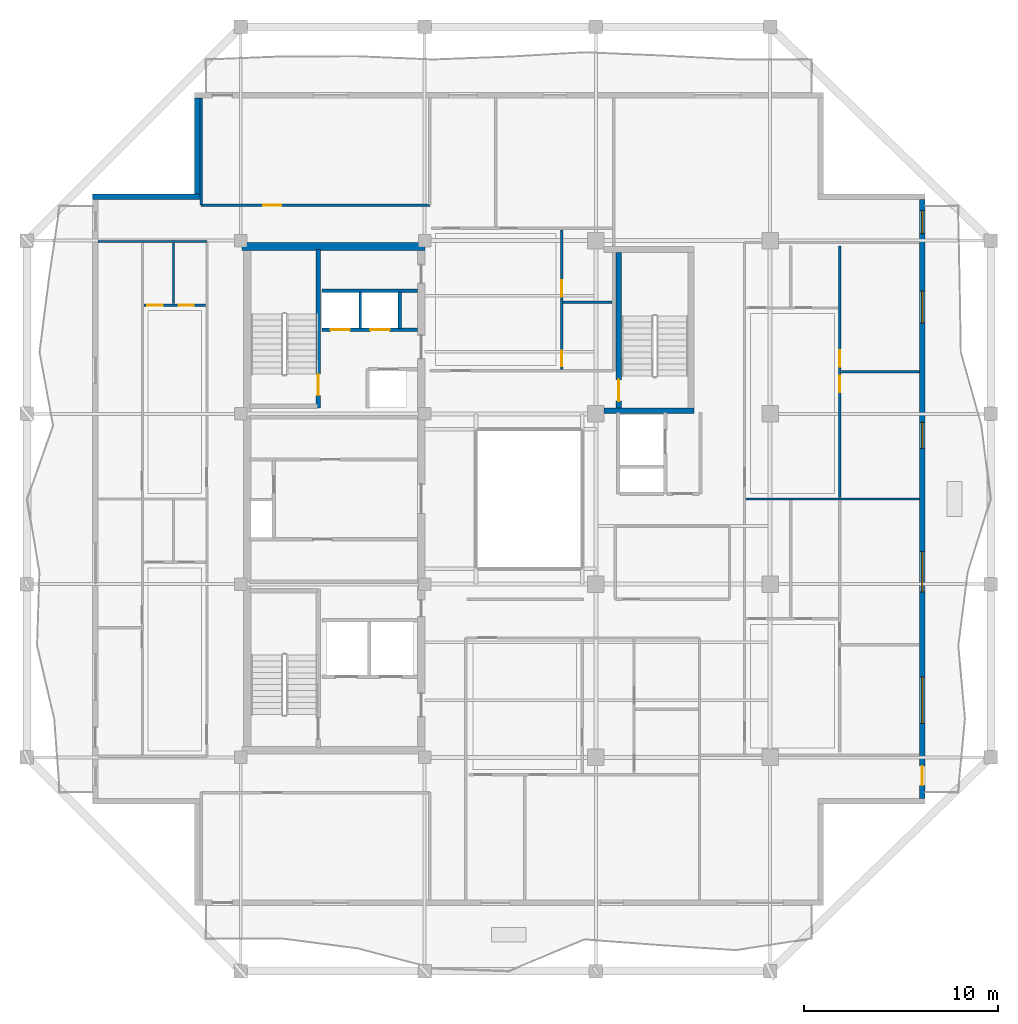
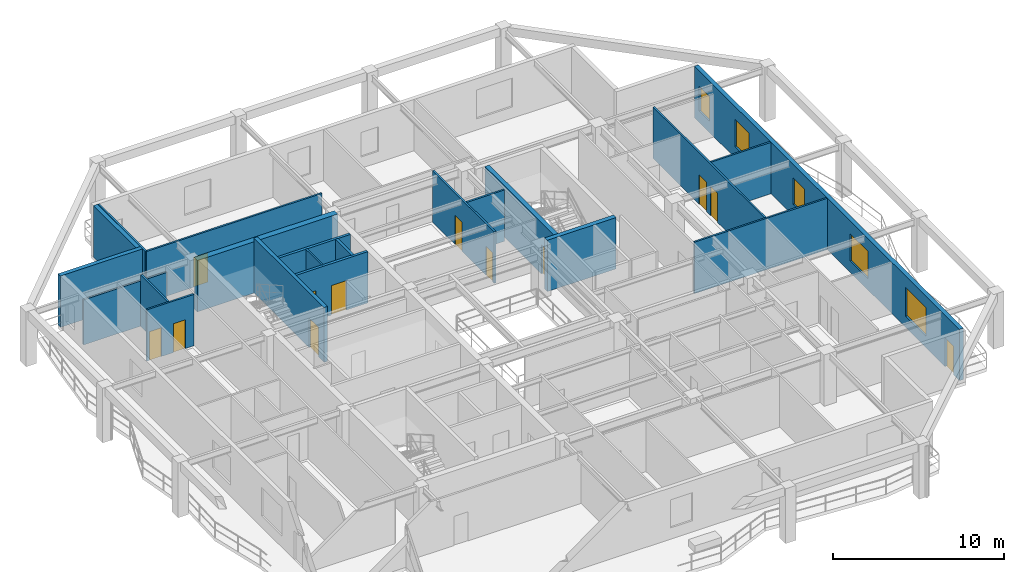
# One storey, part 5 of 11: 21 walls, 12 doors, 5 windows, 17 openings.
"""IFC4 building model written with IfcOpenShell, lengths in metres."""

from ifc_helpers import new_model, si_unit, direction, frame, frame_2d, origin, place, context, subcontext, project, spatial, rectangle, extrude, material, layer, layer_set, type_object, element, fill, save


model = new_model("IFC4")

# Units and contexts
model_context = context("Model", 3, precision=1e-05, world=origin(), true_north=direction((0.0, 1.0)))
body_context = subcontext(model_context, "Body", "Model", "MODEL_VIEW")
ifc_project = project(units=[si_unit("LENGTHUNIT", "METRE"), si_unit("AREAUNIT", "SQUARE_METRE"), si_unit("VOLUMEUNIT", "CUBIC_METRE"), si_unit("PLANEANGLEUNIT", "RADIAN"), si_unit("MASSUNIT", "GRAM", prefix="KILO")], contexts=[model_context])

# Site, building, storey
site_placement = place(None, origin())
site = spatial("IfcSite", under=ifc_project, at=site_placement, CompositionType="ELEMENT")
building_placement = place(site_placement, origin())
building = spatial("IfcBuilding", under=site, at=building_placement, Name="Kundavana Baori Tower", CompositionType="ELEMENT")
storey_placement = place(building_placement, frame((0.0, 0.0, 221.89990234375)))
storey = spatial("IfcBuildingStorey", under=building, at=storey_placement, Name="L54", CompositionType="ELEMENT", Elevation=221.89990234375)

# Wall
ifc_material_1 = material(Name="Concrete C50/60", Category="concrete")
ifc_layer_1 = layer(ifc_material_1, 0.39990234375, Name="WL-CORE-400")
ifc_layer_set_1 = layer_set([ifc_layer_1], Name="Concrete C50/60")
wall_type_1 = type_object("IfcWallType", Name="WL-CORE-400", PredefinedType="SHEAR", material=ifc_layer_set_1)
wall_1_placement = place(storey_placement, frame((15.5, 41.639892578125, 0.0), z_axis=(0.0, 0.0, 1.0), x_axis=(1.0, 0.0, 0.0)))
element("IfcWall", 1, at=wall_1_placement, inside=storey, type_object=wall_type_1, Name="L54 Offset Core North Shear Wall", PredefinedType="SHEAR", context=body_context, shape_type="SweptSolid", body=[
    extrude(rectangle(XDim=9.47998046875, YDim=0.39990234375, at=frame_2d((4.739990234375, 0.0))), origin(), (0.0, 0.0, 1.0), 3.66015625),
])

# Wall, opening, door
wall_2_placement = place(storey_placement, frame((19.4599609375, 33.300048828125, 0.0), z_axis=(0.0, 0.0, 1.0), x_axis=(0.0, 1.0, 0.0)))
wall_2 = element("IfcWall", 2, at=wall_2_placement, inside=storey, type_object=wall_type_1, Name="WL-L54-ST2-E", PredefinedType="SHEAR", context=body_context, shape_type="SweptSolid", body=[
    extrude(rectangle(XDim=8.179931640625, YDim=0.239990234375, at=frame_2d((4.08984375, 0.0))), origin(), (0.0, 0.0, 1.0), 3.900146484375),
])
opening_1_placement = place(wall_2_placement, frame((0.64990234375, 0.0, 0.0)))
opening_1 = element("IfcOpeningElement", 3, at=opening_1_placement, cuts=wall_2, Name="Opening FD-110", PredefinedType="OPENING", context=body_context, shape_type="SweptSolid", body=[
    extrude(rectangle(XDim=1.10009765625, YDim=2.10009765625, at=frame_2d((0.550048828125, 1.050048828125))), frame((0.0, 0.1298828125, 0.0), z_axis=(0.0, -1.0, 0.0), x_axis=(1.0, 0.0, 0.0)), (0.0, 0.0, 1.0), 0.260009765625),
])
ifc_material_2 = material(Name="Galvanised Steel Fire-Rated Door Leaf", Category="steel")
door_type_1 = type_object("IfcDoorType", Name="DR-FD120-1100", OperationType="NOTDEFINED", PredefinedType="DOOR", material=ifc_material_2)
door_1_placement = place(opening_1_placement, origin())
door_1 = element("IfcDoor", 4, at=door_1_placement, inside=storey, type_object=door_type_1, Name="DR-L54-ST2", OperationType="SINGLE_SWING_RIGHT", OverallHeight=2.10009765625, OverallWidth=1.10009765625, PredefinedType="DOOR", context=body_context, shape_type="SweptSolid", body=[
    extrude(rectangle(XDim=1.10009765625, YDim=2.10009765625, at=frame_2d((0.550048828125, 1.050048828125))), frame((0.0, 0.02490234375, 0.0), z_axis=(0.0, -1.0, 0.0), x_axis=(1.0, 0.0, 0.0)), (0.0, 0.0, 1.0), 0.050048828125),
])
fill(opening_1, door_1)

# Wall, openings, door, windows
ifc_material_3 = material(Name="Red-Buff Dholpur Sandstone Cladding on Concrete C40/50", Category="masonry")
ifc_layer_2 = layer(ifc_material_3, 0.280029296875, Name="WL-EXT-SAND-280")
ifc_layer_set_2 = layer_set([ifc_layer_2], Name="Red-Buff Dholpur Sandstone Cladding on Concrete C40/50")
wall_type_2 = type_object("IfcWallType", Name="WL-EXT-SAND-280", PredefinedType="STANDARD", material=ifc_layer_set_2)
wall_3_placement = place(storey_placement, frame((50.659912109375, 13.1298828125, 0.0), z_axis=(0.0, 0.0, 1.0), x_axis=(0.0, 1.0, 0.0)))
wall_3 = element("IfcWall", 5, at=wall_3_placement, inside=storey, type_object=wall_type_2, Name="L54 Exterior Insulated Facade Wall 04", PredefinedType="STANDARD", context=body_context, shape_type="SweptSolid", body=[
    extrude(rectangle(XDim=30.940185546875, YDim=0.280029296875, at=frame_2d((15.47021484375, 0.0))), origin(), (0.0, 0.0, 1.0), 3.66015625),
])
opening_2_placement = place(wall_3_placement, frame((0.669921875, 0.0, 0.0)))
opening_2 = element("IfcOpeningElement", 6, at=opening_2_placement, cuts=wall_3, Name="Opening BD-1", PredefinedType="OPENING", context=body_context, shape_type="SweptSolid", body=[
    extrude(rectangle(XDim=1.0, YDim=2.050048828125, at=frame_2d((0.5, 1.02490234375))), frame((0.0, 0.14990234375, 0.0), z_axis=(0.0, -1.0, 0.0), x_axis=(1.0, 0.0, 0.0)), (0.0, 0.0, 1.0), 0.300048828125),
])
opening_3_placement = place(wall_3_placement, frame((3.8798828125, 0.0, 0.800048828125)))
opening_3 = element("IfcOpeningElement", 7, at=opening_3_placement, cuts=wall_3, Name="Opening W-04", PredefinedType="OPENING", context=body_context, shape_type="SweptSolid", body=[
    extrude(rectangle(XDim=2.39990234375, YDim=2.050048828125, at=frame_2d((1.199951171875, 1.02490234375))), frame((0.0, 0.14990234375, 0.0), z_axis=(0.0, -1.0, 0.0), x_axis=(1.0, 0.0, 0.0)), (0.0, 0.0, 1.0), 0.300048828125),
])
opening_4_placement = place(wall_3_placement, frame((10.655029296875, 0.0, 0.800048828125)))
opening_4 = element("IfcOpeningElement", 8, at=opening_4_placement, cuts=wall_3, Name="Opening W-05", PredefinedType="OPENING", context=body_context, shape_type="SweptSolid", body=[
    extrude(rectangle(XDim=2.10009765625, YDim=1.949951171875, at=frame_2d((1.050048828125, 0.97509765625))), frame((0.0, 0.14990234375, 0.0), z_axis=(0.0, -1.0, 0.0), x_axis=(1.0, 0.0, 0.0)), (0.0, 0.0, 1.0), 0.300048828125),
])
opening_5_placement = place(wall_3_placement, frame((18.08203125, 0.0, 0.800048828125)))
opening_5 = element("IfcOpeningElement", 9, at=opening_5_placement, cuts=wall_3, Name="Opening W-07", PredefinedType="OPENING", context=body_context, shape_type="SweptSolid", body=[
    extrude(rectangle(XDim=1.35009765625, YDim=1.89990234375, at=frame_2d((0.675048828125, 0.949951171875))), frame((0.0, 0.14990234375, 0.0), z_axis=(0.0, -1.0, 0.0), x_axis=(1.0, 0.0, 0.0)), (0.0, 0.0, 1.0), 0.300048828125),
])
opening_6_placement = place(wall_3_placement, frame((24.55810546875, 0.0, 0.800048828125)))
opening_6 = element("IfcOpeningElement", 10, at=opening_6_placement, cuts=wall_3, Name="Opening W-08", PredefinedType="OPENING", context=body_context, shape_type="SweptSolid", body=[
    extrude(rectangle(XDim=1.64990234375, YDim=1.949951171875, at=frame_2d((0.824951171875, 0.97509765625))), frame((0.0, 0.14990234375, 0.0), z_axis=(0.0, -1.0, 0.0), x_axis=(1.0, 0.0, 0.0)), (0.0, 0.0, 1.0), 0.300048828125),
])
opening_7_placement = place(wall_3_placement, frame((29.175048828125, 0.0, 0.800048828125)))
opening_7 = element("IfcOpeningElement", 11, at=opening_7_placement, cuts=wall_3, Name="Opening W-03", PredefinedType="OPENING", context=body_context, shape_type="SweptSolid", body=[
    extrude(rectangle(XDim=1.199951171875, YDim=1.75, at=frame_2d((0.60009765625, 0.875))), frame((0.0, 0.14990234375, 0.0), z_axis=(0.0, -1.0, 0.0), x_axis=(1.0, 0.0, 0.0)), (0.0, 0.0, 1.0), 0.300048828125),
])
ifc_material_4 = material(Name="Architectural Patinated Bronze Metalwork")
door_type_2 = type_object("IfcDoorType", Name="DR-EXT-LOG-1000", OperationType="NOTDEFINED", PredefinedType="DOOR", material=ifc_material_4)
door_2_placement = place(opening_2_placement, frame((1.0, 0.0, 0.0), z_axis=(0.0, 0.0, 1.0), x_axis=(-1.0, 0.0, 0.0)))
door_2 = element("IfcDoor", 12, at=door_2_placement, inside=storey, type_object=door_type_2, Name="L54 Loggia Balcony Access Door E", OperationType="SINGLE_SWING_RIGHT", OverallHeight=2.050048828125, OverallWidth=1.0, PredefinedType="DOOR", context=body_context, shape_type="SweptSolid", body=[
    extrude(rectangle(XDim=1.0, YDim=2.050048828125, at=frame_2d((0.5, 1.02490234375))), frame((0.0, 0.02490234375, 0.0), z_axis=(0.0, -1.0, 0.0), x_axis=(1.0, 0.0, 0.0)), (0.0, 0.0, 1.0), 0.050048828125),
])
fill(opening_2, door_2)
ifc_material_5 = material(Name="Double-Glazed Solar-Control Low-E Insulated Glass", Category="glass")
window_type_1 = type_object("IfcWindowType", Name="WIN-LOG-1200x1750", PartitioningType="SINGLE_PANEL", PredefinedType="WINDOW", material=ifc_material_5)
window_1_placement = place(opening_7_placement, origin())
window_1 = element("IfcWindow", 13, at=window_1_placement, inside=storey, type_object=window_type_1, Name="L54 Recessed Loggia Window E-6", OverallHeight=1.75, OverallWidth=1.199951171875, PartitioningType="SINGLE_PANEL", PredefinedType="WINDOW", context=body_context, shape_type="SweptSolid", body=[
    extrude(rectangle(XDim=1.199951171875, YDim=1.75, at=frame_2d((0.60009765625, 0.875))), frame((0.0, 0.030029296875, 0.0), z_axis=(0.0, -1.0, 0.0), x_axis=(1.0, 0.0, 0.0)), (0.0, 0.0, 1.0), 0.06005859375),
])
fill(opening_7, window_1)
ifc_material_6 = material(Name="Double-Glazed Solar-Control Low-E Insulated Glass", Category="glass")
window_type_2 = type_object("IfcWindowType", Name="WIN-LOG-1350x1900", PartitioningType="SINGLE_PANEL", PredefinedType="WINDOW", material=ifc_material_6)
window_2_placement = place(opening_5_placement, origin())
window_2 = element("IfcWindow", 14, at=window_2_placement, inside=storey, type_object=window_type_2, Name="L54 Recessed Loggia Window E-4", OverallHeight=1.89990234375, OverallWidth=1.35009765625, PartitioningType="SINGLE_PANEL", PredefinedType="WINDOW", context=body_context, shape_type="SweptSolid", body=[
    extrude(rectangle(XDim=1.35009765625, YDim=1.89990234375, at=frame_2d((0.675048828125, 0.949951171875))), frame((0.0, 0.030029296875, 0.0), z_axis=(0.0, -1.0, 0.0), x_axis=(1.0, 0.0, 0.0)), (0.0, 0.0, 1.0), 0.06005859375),
])
fill(opening_5, window_2)
ifc_material_7 = material(Name="Double-Glazed Solar-Control Low-E Insulated Glass", Category="glass")
window_type_3 = type_object("IfcWindowType", Name="WIN-LOG-1650x1950", PartitioningType="SINGLE_PANEL", PredefinedType="WINDOW", material=ifc_material_7)
window_3_placement = place(opening_6_placement, origin())
window_3 = element("IfcWindow", 15, at=window_3_placement, inside=storey, type_object=window_type_3, Name="L54 Recessed Loggia Window E-5", OverallHeight=1.949951171875, OverallWidth=1.64990234375, PartitioningType="SINGLE_PANEL", PredefinedType="WINDOW", context=body_context, shape_type="SweptSolid", body=[
    extrude(rectangle(XDim=1.64990234375, YDim=1.949951171875, at=frame_2d((0.824951171875, 0.97509765625))), frame((0.0, 0.030029296875, 0.0), z_axis=(0.0, -1.0, 0.0), x_axis=(1.0, 0.0, 0.0)), (0.0, 0.0, 1.0), 0.06005859375),
])
fill(opening_6, window_3)
ifc_material_8 = material(Name="Double-Glazed Solar-Control Low-E Insulated Glass", Category="glass")
window_type_4 = type_object("IfcWindowType", Name="WIN-LOG-2100x1950", PartitioningType="SINGLE_PANEL", PredefinedType="WINDOW", material=ifc_material_8)
window_4_placement = place(opening_4_placement, origin())
window_4 = element("IfcWindow", 16, at=window_4_placement, inside=storey, type_object=window_type_4, Name="L54 Recessed Loggia Window E-3", OverallHeight=1.949951171875, OverallWidth=2.10009765625, PartitioningType="SINGLE_PANEL", PredefinedType="WINDOW", context=body_context, shape_type="SweptSolid", body=[
    extrude(rectangle(XDim=2.10009765625, YDim=1.949951171875, at=frame_2d((1.050048828125, 0.97509765625))), frame((0.0, 0.030029296875, 0.0), z_axis=(0.0, -1.0, 0.0), x_axis=(1.0, 0.0, 0.0)), (0.0, 0.0, 1.0), 0.06005859375),
])
fill(opening_4, window_4)
ifc_material_9 = material(Name="Double-Glazed Solar-Control Low-E Insulated Glass", Category="glass")
window_type_5 = type_object("IfcWindowType", Name="WIN-LOG-2400x2050", PartitioningType="SINGLE_PANEL", PredefinedType="WINDOW", material=ifc_material_9)
window_5_placement = place(opening_3_placement, origin())
window_5 = element("IfcWindow", 17, at=window_5_placement, inside=storey, type_object=window_type_5, Name="L54 Recessed Loggia Window E-2", OverallHeight=2.050048828125, OverallWidth=2.39990234375, PartitioningType="SINGLE_PANEL", PredefinedType="WINDOW", context=body_context, shape_type="SweptSolid", body=[
    extrude(rectangle(XDim=2.39990234375, YDim=2.050048828125, at=frame_2d((1.199951171875, 1.02490234375))), frame((0.0, 0.030029296875, 0.0), z_axis=(0.0, -1.0, 0.0), x_axis=(1.0, 0.0, 0.0)), (0.0, 0.0, 1.0), 0.06005859375),
])
fill(opening_3, window_5)

# Walls
wall_4_placement = place(storey_placement, frame((13.18994140625, 49.320068359375, 0.0), z_axis=(0.0, 0.0, 1.0), x_axis=(0.0, -1.0, 0.0)))
element("IfcWall", 18, at=wall_4_placement, inside=storey, type_object=wall_type_2, Name="L54 Exterior Insulated Facade Wall 08", PredefinedType="STANDARD", context=body_context, shape_type="SweptSolid", body=[
    extrude(rectangle(XDim=4.969970703125, YDim=0.280029296875, at=frame_2d((2.48486328125, 0.0))), origin(), (0.0, 0.0, 1.0), 3.66015625),
])
wall_5_placement = place(storey_placement, frame((13.330078125, 44.2099609375, 0.0), z_axis=(0.0, 0.0, 1.0), x_axis=(-1.0, 0.0, 0.0)))
element("IfcWall", 19, at=wall_5_placement, inside=storey, type_object=wall_type_2, Name="L54 Exterior Insulated Facade Wall 09", PredefinedType="STANDARD", context=body_context, shape_type="SweptSolid", body=[
    extrude(rectangle(XDim=5.530029296875, YDim=0.280029296875, at=frame_2d((2.76513671875, 0.0))), origin(), (0.0, 0.0, 1.0), 3.66015625),
])
ifc_material_10 = material(Name="Acoustic Gypsum Plasterboard on Galvanised Steel Studs", Category="steel")
ifc_layer_3 = layer(ifc_material_10, 0.1201171875, Name="WL-PART-120")
ifc_layer_set_3 = layer_set([ifc_layer_3], Name="Acoustic Gypsum Plasterboard on Galvanised Steel Studs")
wall_type_3 = type_object("IfcWallType", Name="WL-PART-120", PredefinedType="PARTITIONING", material=ifc_layer_set_3)
wall_6_placement = place(storey_placement, frame((21.6201171875, 37.39990234375, 0.0), z_axis=(0.0, 0.0, 1.0), x_axis=(0.0, 1.0, 0.0)))
element("IfcWall", 20, at=wall_6_placement, inside=storey, type_object=wall_type_3, Name="WL-L54-HR-DIV1", PredefinedType="PARTITIONING", context=body_context, shape_type="SweptSolid", body=[
    extrude(rectangle(XDim=1.900146484375, YDim=0.1201171875, at=frame_2d((0.9501953125, 0.0))), origin(), (0.0, 0.0, 1.0), 3.66015625),
])

# Wall, opening, door
wall_7_placement = place(storey_placement, frame((13.39990234375, 43.780029296875, 0.0), z_axis=(0.0, 0.0, 1.0), x_axis=(1.0, 0.0, 0.0)))
wall_7 = element("IfcWall", 21, at=wall_7_placement, inside=storey, type_object=wall_type_3, Name="WL-L54-RNC", PredefinedType="PARTITIONING", context=body_context, shape_type="SweptSolid", body=[
    extrude(rectangle(XDim=11.820068359375, YDim=0.1201171875, at=frame_2d((5.91015625, 0.0))), origin(), (0.0, 0.0, 1.0), 3.66015625),
])
opening_8_placement = place(wall_7_placement, frame((3.199951171875, 0.0, 0.0)))
opening_8 = element("IfcOpeningElement", 22, at=opening_8_placement, cuts=wall_7, Name="Opening ID-095", PredefinedType="OPENING", context=body_context, shape_type="SweptSolid", body=[
    extrude(rectangle(XDim=0.949951171875, YDim=2.080078125, at=frame_2d((0.47509765625, 1.0400390625))), frame((0.0, 0.070068359375, 0.0), z_axis=(0.0, -1.0, 0.0), x_axis=(1.0, 0.0, 0.0)), (0.0, 0.0, 1.0), 0.14013671875),
])
ifc_material_11 = material(Name="Engineered Teak Solid-Core Timber Veneer", Category="wood")
door_type_3 = type_object("IfcDoorType", Name="DR-INT-950", OperationType="NOTDEFINED", PredefinedType="DOOR", material=ifc_material_11)
door_3_placement = place(opening_8_placement, origin())
door_3 = element("IfcDoor", 23, at=door_3_placement, inside=storey, type_object=door_type_3, Name="DR-L54-RMNW", OperationType="SINGLE_SWING_RIGHT", OverallHeight=2.080078125, OverallWidth=0.949951171875, PredefinedType="DOOR", context=body_context, shape_type="SweptSolid", body=[
    extrude(rectangle(XDim=0.949951171875, YDim=2.080078125, at=frame_2d((0.47509765625, 1.0400390625))), frame((0.0, 0.02490234375, 0.0), z_axis=(0.0, -1.0, 0.0), x_axis=(1.0, 0.0, 0.0)), (0.0, 0.0, 1.0), 0.050048828125),
])
fill(opening_8, door_3)

# Walls
wall_8_placement = place(storey_placement, frame((13.39990234375, 43.780029296875, 0.0), z_axis=(0.0, 0.0, 1.0), x_axis=(0.0, 1.0, 0.0)))
element("IfcWall", 24, at=wall_8_placement, inside=storey, type_object=wall_type_3, Name="WL-L54-RNCW", PredefinedType="PARTITIONING", context=body_context, shape_type="SweptSolid", body=[
    extrude(rectangle(XDim=5.5400390625, YDim=0.1201171875, at=frame_2d((2.77001953125, 0.0))), origin(), (0.0, 0.0, 1.0), 3.66015625),
])
wall_9_placement = place(storey_placement, frame((8.080078125, 41.89990234375, 0.0), z_axis=(0.0, 0.0, 1.0), x_axis=(1.0, 0.0, 0.0)))
element("IfcWall", 25, at=wall_9_placement, inside=storey, type_object=wall_type_3, Name="WL-L54-RWN", PredefinedType="PARTITIONING", context=body_context, shape_type="SweptSolid", body=[
    extrude(rectangle(XDim=5.619873046875, YDim=0.1201171875, at=frame_2d((2.81005859375, 0.0))), origin(), (0.0, 0.0, 1.0), 3.210205078125),
])
wall_10_placement = place(storey_placement, frame((41.56005859375, 28.60009765625, 0.0), z_axis=(0.0, 0.0, 1.0), x_axis=(1.0, 0.0, 0.0)))
element("IfcWall", 26, at=wall_10_placement, inside=storey, type_object=wall_type_3, Name="WL-L54-RED1", PredefinedType="PARTITIONING", context=body_context, shape_type="SweptSolid", body=[
    extrude(rectangle(XDim=8.9599609375, YDim=0.1201171875, at=frame_2d((4.47998046875, 0.0))), origin(), (0.0, 0.0, 1.0), 3.66015625),
])

# Wall, openings, doors
wall_11_placement = place(storey_placement, frame((46.407958984375, 28.679931640625, 0.0), z_axis=(0.0, 0.0, 1.0), x_axis=(0.0, 1.0, 0.0)))
wall_11 = element("IfcWall", 27, at=wall_11_placement, inside=storey, type_object=wall_type_3, Name="WL-L54-E2-VT", PredefinedType="PARTITIONING", context=body_context, shape_type="SweptSolid", body=[
    extrude(rectangle(XDim=12.989990234375, YDim=0.1201171875, at=frame_2d((6.4951171875, 0.0))), origin(), (0.0, 0.0, 1.0), 3.66015625),
])
opening_9_placement = place(wall_11_placement, frame((5.445068359375, 0.0, 0.0)))
opening_9 = element("IfcOpeningElement", 28, at=opening_9_placement, cuts=wall_11, Name="Opening ID-085", PredefinedType="OPENING", context=body_context, shape_type="SweptSolid", body=[
    extrude(rectangle(XDim=0.85009765625, YDim=2.080078125, at=frame_2d((0.425048828125, 1.0400390625))), frame((0.0, 0.070068359375, 0.0), z_axis=(0.0, -1.0, 0.0), x_axis=(1.0, 0.0, 0.0)), (0.0, 0.0, 1.0), 0.14013671875),
])
opening_10_placement = place(wall_11_placement, frame((6.7451171875, 0.0, 0.0)))
opening_10 = element("IfcOpeningElement", 29, at=opening_10_placement, cuts=wall_11, Name="Opening ID-085", PredefinedType="OPENING", context=body_context, shape_type="SweptSolid", body=[
    extrude(rectangle(XDim=0.85009765625, YDim=2.080078125, at=frame_2d((0.425048828125, 1.0400390625))), frame((0.0, 0.070068359375, 0.0), z_axis=(0.0, -1.0, 0.0), x_axis=(1.0, 0.0, 0.0)), (0.0, 0.0, 1.0), 0.14013671875),
])
ifc_material_12 = material(Name="Engineered Teak Solid-Core Timber Veneer", Category="wood")
door_type_4 = type_object("IfcDoorType", Name="DR-INT-850", OperationType="NOTDEFINED", PredefinedType="DOOR", material=ifc_material_12)
door_4_placement = place(opening_9_placement, origin())
door_4 = element("IfcDoor", 30, at=door_4_placement, inside=storey, type_object=door_type_4, Name="DR-L54-E2-B1", OperationType="SINGLE_SWING_LEFT", OverallHeight=2.080078125, OverallWidth=0.85009765625, PredefinedType="DOOR", context=body_context, shape_type="SweptSolid", body=[
    extrude(rectangle(XDim=0.85009765625, YDim=2.080078125, at=frame_2d((0.425048828125, 1.0400390625))), frame((0.0, 0.02490234375, 0.0), z_axis=(0.0, -1.0, 0.0), x_axis=(1.0, 0.0, 0.0)), (0.0, 0.0, 1.0), 0.050048828125),
])
fill(opening_9, door_4)
door_5_placement = place(opening_10_placement, origin())
door_5 = element("IfcDoor", 31, at=door_5_placement, inside=storey, type_object=door_type_4, Name="DR-L54-E2-B2", OperationType="SINGLE_SWING_RIGHT", OverallHeight=2.080078125, OverallWidth=0.85009765625, PredefinedType="DOOR", context=body_context, shape_type="SweptSolid", body=[
    extrude(rectangle(XDim=0.85009765625, YDim=2.080078125, at=frame_2d((0.425048828125, 1.0400390625))), frame((0.0, 0.02490234375, 0.0), z_axis=(0.0, -1.0, 0.0), x_axis=(1.0, 0.0, 0.0)), (0.0, 0.0, 1.0), 0.050048828125),
])
fill(opening_10, door_5)

# Wall
wall_12_placement = place(storey_placement, frame((46.488037109375, 35.175048828125, 0.0), z_axis=(0.0, 0.0, 1.0), x_axis=(1.0, 0.0, 0.0)))
element("IfcWall", 32, at=wall_12_placement, inside=storey, type_object=wall_type_3, Name="WL-L54-E2-BDH", PredefinedType="PARTITIONING", context=body_context, shape_type="SweptSolid", body=[
    extrude(rectangle(XDim=4.031982421875, YDim=0.1201171875, at=frame_2d((2.01611328125, 0.0))), origin(), (0.0, 0.0, 1.0), 3.66015625),
])

# Wall, openings, doors
ifc_material_13 = material(Name="Autoclaved Aerated Concrete Blockwork Masonry", Category="masonry")
ifc_layer_4 = layer(ifc_material_13, 0.179931640625, Name="WL-SHAFT-180")
ifc_layer_set_4 = layer_set([ifc_layer_4], Name="Autoclaved Aerated Concrete Blockwork Masonry")
wall_type_4 = type_object("IfcWallType", Name="WL-SHAFT-180", PredefinedType="SOLIDWALL", material=ifc_layer_set_4)
wall_13_placement = place(storey_placement, frame((19.639892578125, 37.340087890625, 0.0), z_axis=(0.0, 0.0, 1.0), x_axis=(1.0, 0.0, 0.0)))
wall_13 = element("IfcWall", 33, at=wall_13_placement, inside=storey, type_object=wall_type_4, Name="WL-L54-HRLOB-N", PredefinedType="SOLIDWALL", context=body_context, shape_type="SweptSolid", body=[
    extrude(rectangle(XDim=4.940185546875, YDim=0.179931640625, at=frame_2d((2.47021484375, 0.0))), origin(), (0.0, 0.0, 1.0), 3.66015625),
])
opening_11_placement = place(wall_13_placement, frame((0.449951171875, 0.0, 0.0)))
opening_11 = element("IfcOpeningElement", 34, at=opening_11_placement, cuts=wall_13, Name="Opening LD-100", PredefinedType="OPENING", context=body_context, shape_type="SweptSolid", body=[
    extrude(rectangle(XDim=1.0, YDim=2.10009765625, at=frame_2d((0.5, 1.050048828125))), frame((0.0, 0.10009765625, 0.0), z_axis=(0.0, -1.0, 0.0), x_axis=(1.0, 0.0, 0.0)), (0.0, 0.0, 1.0), 0.199951171875),
])
opening_12_placement = place(wall_13_placement, frame((2.5, 0.0, 0.0)))
opening_12 = element("IfcOpeningElement", 35, at=opening_12_placement, cuts=wall_13, Name="Opening LD-100", PredefinedType="OPENING", context=body_context, shape_type="SweptSolid", body=[
    extrude(rectangle(XDim=1.0, YDim=2.10009765625, at=frame_2d((0.5, 1.050048828125))), frame((0.0, 0.10009765625, 0.0), z_axis=(0.0, -1.0, 0.0), x_axis=(1.0, 0.0, 0.0)), (0.0, 0.0, 1.0), 0.199951171875),
])
ifc_material_14 = material(Name="Galvanised Steel Fire-Rated Door Leaf", Category="steel")
door_type_5 = type_object("IfcDoorType", Name="DR-SLIDE-LD1000", OperationType="NOTDEFINED", PredefinedType="DOOR", material=ifc_material_14)
door_6_placement = place(opening_11_placement, frame((1.0, 0.0, 0.0), z_axis=(0.0, 0.0, 1.0), x_axis=(-1.0, 0.0, 0.0)))
door_6 = element("IfcDoor", 36, at=door_6_placement, inside=storey, type_object=door_type_5, Name="DR-L54-LD-LP09", OperationType="DOUBLE_DOOR_SLIDING", OverallHeight=2.10009765625, OverallWidth=1.0, PredefinedType="DOOR", context=body_context, shape_type="SweptSolid", body=[
    extrude(rectangle(XDim=1.0, YDim=2.10009765625, at=frame_2d((0.5, 1.050048828125))), frame((0.0, 0.02490234375, 0.0), z_axis=(0.0, -1.0, 0.0), x_axis=(1.0, 0.0, 0.0)), (0.0, 0.0, 1.0), 0.050048828125),
])
fill(opening_11, door_6)
door_7_placement = place(opening_12_placement, frame((1.0, 0.0, 0.0), z_axis=(0.0, 0.0, 1.0), x_axis=(-1.0, 0.0, 0.0)))
door_7 = element("IfcDoor", 37, at=door_7_placement, inside=storey, type_object=door_type_5, Name="DR-L54-LD-LP10", OperationType="DOUBLE_DOOR_SLIDING", OverallHeight=2.10009765625, OverallWidth=1.0, PredefinedType="DOOR", context=body_context, shape_type="SweptSolid", body=[
    extrude(rectangle(XDim=1.0, YDim=2.10009765625, at=frame_2d((0.5, 1.050048828125))), frame((0.0, 0.02490234375, 0.0), z_axis=(0.0, -1.0, 0.0), x_axis=(1.0, 0.0, 0.0)), (0.0, 0.0, 1.0), 0.050048828125),
])
fill(opening_12, door_7)

# Walls
wall_14_placement = place(storey_placement, frame((19.639892578125, 39.360107421875, 0.0), z_axis=(0.0, 0.0, 1.0), x_axis=(1.0, 0.0, 0.0)))
element("IfcWall", 38, at=wall_14_placement, inside=storey, type_object=wall_type_4, Name="WL-L54-HRLOB-TOP", PredefinedType="SOLIDWALL", context=body_context, shape_type="SweptSolid", body=[
    extrude(rectangle(XDim=4.940185546875, YDim=0.179931640625, at=frame_2d((2.47021484375, 0.0))), origin(), (0.0, 0.0, 1.0), 3.66015625),
])
wall_15_placement = place(storey_placement, frame((23.659912109375, 37.39990234375, 0.0), z_axis=(0.0, 0.0, 1.0), x_axis=(0.0, 1.0, 0.0)))
element("IfcWall", 39, at=wall_15_placement, inside=storey, type_object=wall_type_4, Name="WL-L54-HR-DIV2", PredefinedType="SOLIDWALL", context=body_context, shape_type="SweptSolid", body=[
    extrude(rectangle(XDim=1.900146484375, YDim=0.179931640625, at=frame_2d((0.9501953125, 0.0))), origin(), (0.0, 0.0, 1.0), 3.66015625),
])
ifc_material_15 = material(Name="Concrete C50/60", Category="concrete")
ifc_layer_5 = layer(ifc_material_15, 0.300048828125, Name="WL-ST3-300")
ifc_layer_set_5 = layer_set([ifc_layer_5], Name="Concrete C50/60")
wall_type_5 = type_object("IfcWallType", Name="WL-ST3-300", PredefinedType="SHEAR", material=ifc_layer_set_5)
wall_16_placement = place(storey_placement, frame((34.22509765625, 33.159912109375, 0.0), z_axis=(0.0, 0.0, 1.0), x_axis=(1.0, 0.0, 0.0)))
element("IfcWall", 40, at=wall_16_placement, inside=storey, type_object=wall_type_5, Name="L54 Stair ST3 South Shear Wall", PredefinedType="SHEAR", context=body_context, shape_type="SweptSolid", body=[
    extrude(rectangle(XDim=4.64501953125, YDim=0.300048828125, at=frame_2d((2.322509765625, 0.0))), origin(), (0.0, 0.0, 1.0), 3.66015625),
])

# Wall, opening, door
wall_17_placement = place(storey_placement, frame((34.97998046875, 33.31005859375, 0.0), z_axis=(0.0, 0.0, 1.0), x_axis=(0.0, 1.0, 0.0)))
wall_17 = element("IfcWall", 41, at=wall_17_placement, inside=storey, type_object=wall_type_5, Name="L54 Stair ST3 West Shear Wall", PredefinedType="SHEAR", context=body_context, shape_type="SweptSolid", body=[
    extrude(rectangle(XDim=8.030029296875, YDim=0.300048828125, at=frame_2d((4.01513671875, 0.0))), origin(), (0.0, 0.0, 1.0), 3.66015625),
])
opening_13_placement = place(wall_17_placement, frame((0.35009765625, 0.0, 0.0)))
opening_13 = element("IfcOpeningElement", 42, at=opening_13_placement, cuts=wall_17, Name="Opening FD-110", PredefinedType="OPENING", context=body_context, shape_type="SweptSolid", body=[
    extrude(rectangle(XDim=1.10009765625, YDim=2.10009765625, at=frame_2d((0.550048828125, 1.050048828125))), frame((0.0, 0.16015625, 0.0), z_axis=(0.0, -1.0, 0.0), x_axis=(1.0, 0.0, 0.0)), (0.0, 0.0, 1.0), 0.320068359375),
])
door_8_placement = place(opening_13_placement, origin())
door_8 = element("IfcDoor", 43, at=door_8_placement, inside=storey, type_object=door_type_1, Name="DR-L54-ST3-W", OperationType="SINGLE_SWING_LEFT", OverallHeight=2.10009765625, OverallWidth=1.10009765625, PredefinedType="DOOR", context=body_context, shape_type="SweptSolid", body=[
    extrude(rectangle(XDim=1.10009765625, YDim=2.10009765625, at=frame_2d((0.550048828125, 1.050048828125))), frame((0.0, 0.02490234375, 0.0), z_axis=(0.0, -1.0, 0.0), x_axis=(1.0, 0.0, 0.0)), (0.0, 0.0, 1.0), 0.050048828125),
])
fill(opening_13, door_8)

# Wall, openings, doors
ifc_material_16 = material(Name="Autoclaved Aerated Concrete Blockwork Masonry", Category="masonry")
ifc_layer_6 = layer(ifc_material_16, 0.125, Name="WL-WET-120")
ifc_layer_set_6 = layer_set([ifc_layer_6], Name="Autoclaved Aerated Concrete Blockwork Masonry")
wall_type_6 = type_object("IfcWallType", Name="WL-WET-120", PredefinedType="PLUMBINGWALL", material=ifc_layer_set_6)
wall_18_placement = place(storey_placement, frame((10.449951171875, 38.6201171875, 0.0), z_axis=(0.0, 0.0, 1.0), x_axis=(1.0, 0.0, 0.0)))
wall_18 = element("IfcWall", 44, at=wall_18_placement, inside=storey, type_object=wall_type_6, Name="WL-L54-W2-KH", PredefinedType="PLUMBINGWALL", context=body_context, shape_type="SweptSolid", body=[
    extrude(rectangle(XDim=3.170166015625, YDim=0.125, at=frame_2d((1.5849609375, 0.0))), origin(), (0.0, 0.0, 1.0), 3.66015625),
])
opening_14_placement = place(wall_18_placement, frame((0.159912109375, 0.0, 0.0)))
opening_14 = element("IfcOpeningElement", 45, at=opening_14_placement, cuts=wall_18, Name="Opening WD-080", PredefinedType="OPENING", context=body_context, shape_type="SweptSolid", body=[
    extrude(rectangle(XDim=0.800048828125, YDim=2.050048828125, at=frame_2d((0.39990234375, 1.02490234375))), frame((0.0, 0.072509765625, 0.0), z_axis=(0.0, -1.0, 0.0), x_axis=(1.0, 0.0, 0.0)), (0.0, 0.0, 1.0), 0.14501953125),
])
opening_15_placement = place(wall_18_placement, frame((1.781982421875, 0.0, 0.0)))
opening_15 = element("IfcOpeningElement", 46, at=opening_15_placement, cuts=wall_18, Name="Opening WD-080", PredefinedType="OPENING", context=body_context, shape_type="SweptSolid", body=[
    extrude(rectangle(XDim=0.800048828125, YDim=2.050048828125, at=frame_2d((0.39990234375, 1.02490234375))), frame((0.0, 0.072509765625, 0.0), z_axis=(0.0, -1.0, 0.0), x_axis=(1.0, 0.0, 0.0)), (0.0, 0.0, 1.0), 0.14501953125),
])
ifc_material_17 = material(Name="Engineered Teak Solid-Core Timber Veneer", Category="wood")
door_type_6 = type_object("IfcDoorType", Name="DR-WET-800", OperationType="NOTDEFINED", PredefinedType="DOOR", material=ifc_material_17)
door_9_placement = place(opening_14_placement, origin())
door_9 = element("IfcDoor", 47, at=door_9_placement, inside=storey, type_object=door_type_6, Name="DR-L54-W2-BT", OperationType="SINGLE_SWING_LEFT", OverallHeight=2.050048828125, OverallWidth=0.800048828125, PredefinedType="DOOR", context=body_context, shape_type="SweptSolid", body=[
    extrude(rectangle(XDim=0.800048828125, YDim=2.050048828125, at=frame_2d((0.39990234375, 1.02490234375))), frame((0.0, 0.02490234375, 0.0), z_axis=(0.0, -1.0, 0.0), x_axis=(1.0, 0.0, 0.0)), (0.0, 0.0, 1.0), 0.050048828125),
])
fill(opening_14, door_9)
door_10_placement = place(opening_15_placement, origin())
door_10 = element("IfcDoor", 48, at=door_10_placement, inside=storey, type_object=door_type_6, Name="DR-L54-W2-KT", OperationType="SINGLE_SWING_RIGHT", OverallHeight=2.050048828125, OverallWidth=0.800048828125, PredefinedType="DOOR", context=body_context, shape_type="SweptSolid", body=[
    extrude(rectangle(XDim=0.800048828125, YDim=2.050048828125, at=frame_2d((0.39990234375, 1.02490234375))), frame((0.0, 0.02490234375, 0.0), z_axis=(0.0, -1.0, 0.0), x_axis=(1.0, 0.0, 0.0)), (0.0, 0.0, 1.0), 0.050048828125),
])
fill(opening_15, door_10)

# Wall
wall_19_placement = place(storey_placement, frame((11.971923828125, 38.699951171875, 0.0), z_axis=(0.0, 0.0, 1.0), x_axis=(0.0, 1.0, 0.0)))
element("IfcWall", 49, at=wall_19_placement, inside=storey, type_object=wall_type_6, Name="WL-L54-W2-BV", PredefinedType="PLUMBINGWALL", context=body_context, shape_type="SweptSolid", body=[
    extrude(rectangle(XDim=3.1201171875, YDim=0.125, at=frame_2d((1.56005859375, 0.0))), origin(), (0.0, 0.0, 1.0), 3.66015625),
])

# Wall, openings, doors
wall_20_placement = place(storey_placement, frame((32.02490234375, 35.300048828125, 0.0), z_axis=(0.0, 0.0, 1.0), x_axis=(0.0, 1.0, 0.0)))
wall_20 = element("IfcWall", 50, at=wall_20_placement, inside=storey, type_object=wall_type_6, Name="WL-L54-N1-KT", PredefinedType="PLUMBINGWALL", context=body_context, shape_type="SweptSolid", body=[
    extrude(rectangle(XDim=7.2099609375, YDim=0.125, at=frame_2d((3.60498046875, 0.0))), origin(), (0.0, 0.0, 1.0), 3.66015625),
])
opening_16_placement = place(wall_20_placement, frame((0.159912109375, 0.0, 0.0)))
opening_16 = element("IfcOpeningElement", 51, at=opening_16_placement, cuts=wall_20, Name="Opening WD-080", PredefinedType="OPENING", context=body_context, shape_type="SweptSolid", body=[
    extrude(rectangle(XDim=0.800048828125, YDim=2.050048828125, at=frame_2d((0.39990234375, 1.02490234375))), frame((0.0, 0.072509765625, 0.0), z_axis=(0.0, -1.0, 0.0), x_axis=(1.0, 0.0, 0.0)), (0.0, 0.0, 1.0), 0.14501953125),
])
opening_17_placement = place(wall_20_placement, frame((3.740966796875, 0.0, 0.0)))
opening_17 = element("IfcOpeningElement", 52, at=opening_17_placement, cuts=wall_20, Name="Opening ID-085", PredefinedType="OPENING", context=body_context, shape_type="SweptSolid", body=[
    extrude(rectangle(XDim=0.85009765625, YDim=2.080078125, at=frame_2d((0.425048828125, 1.0400390625))), frame((0.0, 0.072509765625, 0.0), z_axis=(0.0, -1.0, 0.0), x_axis=(1.0, 0.0, 0.0)), (0.0, 0.0, 1.0), 0.14501953125),
])
door_11_placement = place(opening_17_placement, origin())
door_11 = element("IfcDoor", 53, at=door_11_placement, inside=storey, type_object=door_type_4, Name="DR-L54-N1-KT", OperationType="SINGLE_SWING_RIGHT", OverallHeight=2.080078125, OverallWidth=0.85009765625, PredefinedType="DOOR", context=body_context, shape_type="SweptSolid", body=[
    extrude(rectangle(XDim=0.85009765625, YDim=2.080078125, at=frame_2d((0.425048828125, 1.0400390625))), frame((0.0, 0.02490234375, 0.0), z_axis=(0.0, -1.0, 0.0), x_axis=(1.0, 0.0, 0.0)), (0.0, 0.0, 1.0), 0.050048828125),
])
fill(opening_17, door_11)
door_12_placement = place(opening_16_placement, origin())
door_12 = element("IfcDoor", 54, at=door_12_placement, inside=storey, type_object=door_type_6, Name="DR-L54-N1-BT", OperationType="SINGLE_SWING_LEFT", OverallHeight=2.050048828125, OverallWidth=0.800048828125, PredefinedType="DOOR", context=body_context, shape_type="SweptSolid", body=[
    extrude(rectangle(XDim=0.800048828125, YDim=2.050048828125, at=frame_2d((0.39990234375, 1.02490234375))), frame((0.0, 0.02490234375, 0.0), z_axis=(0.0, -1.0, 0.0), x_axis=(1.0, 0.0, 0.0)), (0.0, 0.0, 1.0), 0.050048828125),
])
fill(opening_16, door_12)

# Wall
wall_21_placement = place(storey_placement, frame((32.10498046875, 38.760986328125, 0.0), z_axis=(0.0, 0.0, 1.0), x_axis=(1.0, 0.0, 0.0)))
element("IfcWall", 55, at=wall_21_placement, inside=storey, type_object=wall_type_6, Name="WL-L54-N1-BT", PredefinedType="PLUMBINGWALL", context=body_context, shape_type="SweptSolid", body=[
    extrude(rectangle(XDim=2.534912109375, YDim=0.125, at=frame_2d((1.267578125, 0.0))), origin(), (0.0, 0.0, 1.0), 3.66015625),
])

save(model, "model.ifc")
